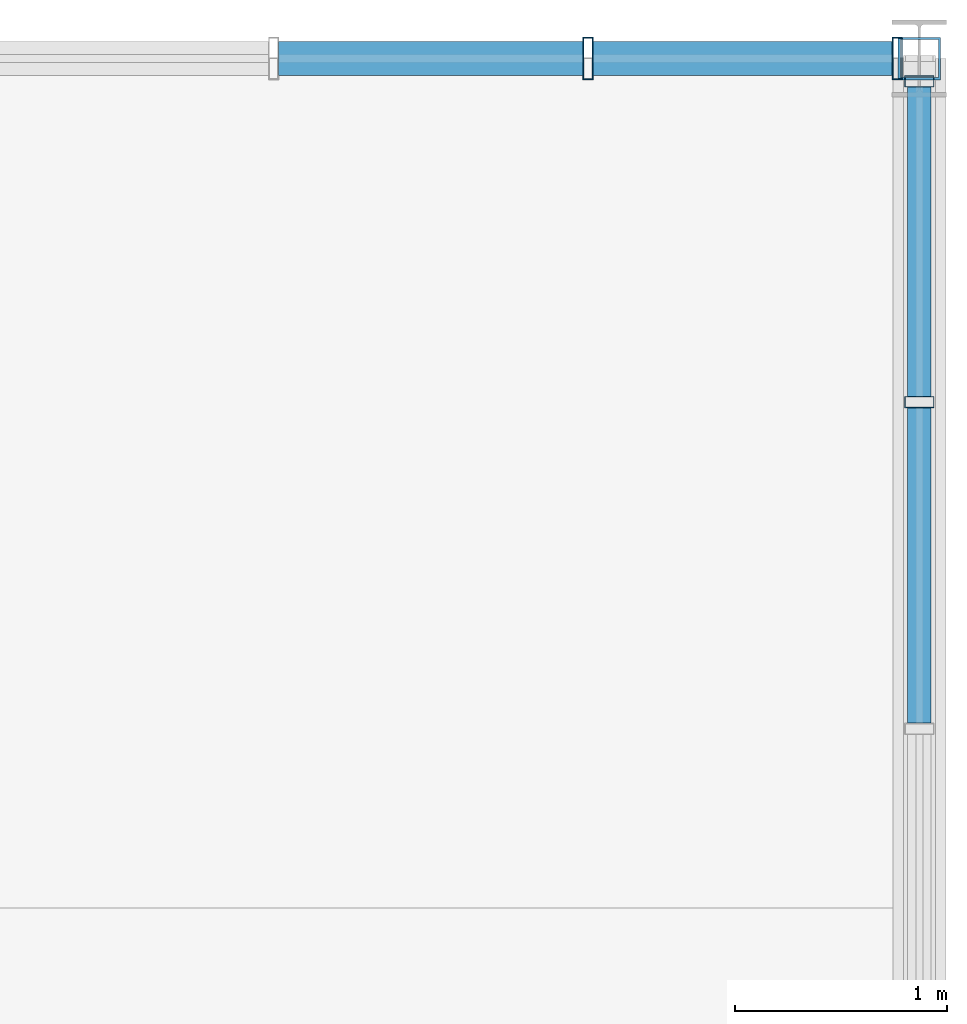
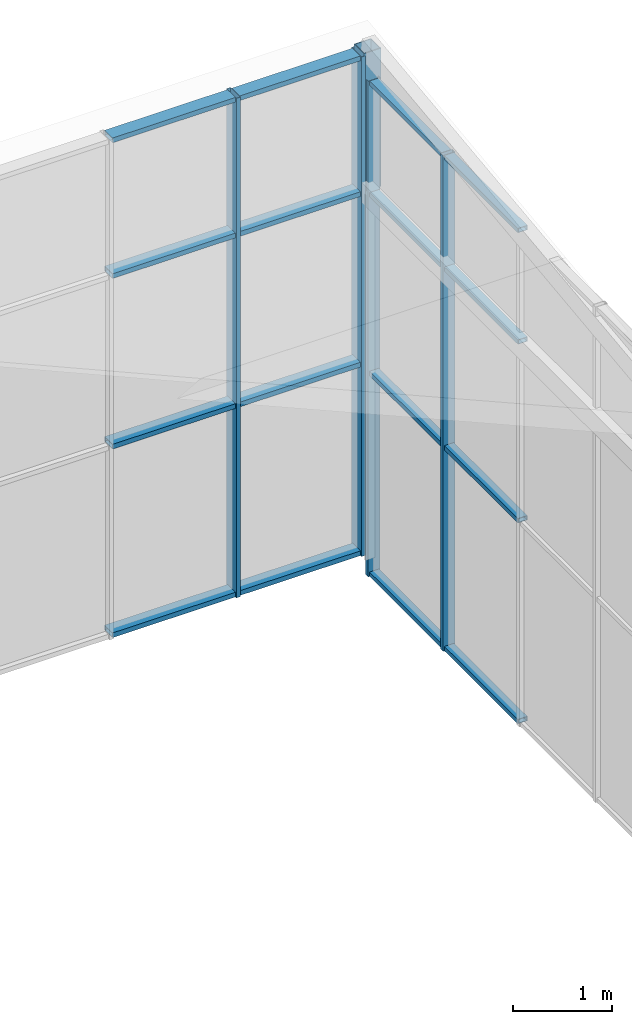
# One storey, part 79 of 104: 21 members, 2 elements without a shape of their own.
"""IFC4 building model written with IfcOpenShell, lengths in metres."""

from ifc_helpers import new_model, si_unit, direction, frame, origin, origin_2d, place, context, subcontext, project, spatial, hollow_rectangle, extrude, material, layer, layer_set, material_profile, profile_set, type_object, element, aggregate, save


model = new_model("IFC4")

# Units and contexts
model_context = context("Model", 3, precision=1e-05, world=origin(), true_north=direction((0.0, 1.0)))
body_context = subcontext(model_context, "Body", "Model", "MODEL_VIEW")
ifc_project = project(units=[si_unit("LENGTHUNIT", "METRE"), si_unit("AREAUNIT", "SQUARE_METRE"), si_unit("VOLUMEUNIT", "CUBIC_METRE"), si_unit("PLANEANGLEUNIT", "RADIAN"), si_unit("MASSUNIT", "GRAM", prefix="KILO")], contexts=[model_context])

# Site, building, storey
site_placement = place(None, origin())
site = spatial("IfcSite", under=ifc_project, at=site_placement, CompositionType="ELEMENT")
building_placement = place(site_placement, origin())
building = spatial("IfcBuilding", under=site, at=building_placement, Name="Solvenia Promenade Tram Depot", CompositionType="ELEMENT")
storey_placement = place(building_placement, frame((0.0, 0.0, 9.0)))
storey = spatial("IfcBuildingStorey", under=building, at=storey_placement, Name="L02", CompositionType="ELEMENT", Elevation=9.0)

# Curtain wall, members
ifc_material_1 = material(Name="Anodized aluminium AW-6063 T6", Category="aluminium")
ifc_layer = layer(ifc_material_1, 0.080078125, Name="Anodized aluminium AW-6063 T6", Category="aluminium")
ifc_layer_set = layer_set([ifc_layer], Name="Anodized aluminium AW-6063 T6")
curtain_wall_type = type_object("IfcCurtainWallType", Name="CW-Clerest-1500", PredefinedType="NOTDEFINED", material=ifc_layer_set)
curtain_wall_1_placement = place(storey_placement, origin())
curtain_wall_1 = element("IfcCurtainWall", 1, at=curtain_wall_1_placement, inside=storey, type_object=curtain_wall_type, Name="Curtain Wall CW-V2N-L2-174", PredefinedType="NOTDEFINED")
ifc_material_profile_1 = material_profile(ifc_material_1, hollow_rectangle(XDim=0.199951171875, YDim=0.048095703125, WallThickness=0.00390625, at=origin_2d()), Name="ALU-M3", Category="aluminium")
ifc_profile_set_1 = profile_set([ifc_material_profile_1], Name="Anodized aluminium AW-6063 T6")
member_type_1 = type_object("IfcMemberType", Name="CWM-Mullion-3", PredefinedType="MULLION", material=ifc_profile_set_1)
member_1_placement = place(storey_placement, frame((184.43994140625, 66.0, 0.0), z_axis=(0.0, 0.0, 1.0), x_axis=(0.0, 1.0, 0.0)))
member_1 = element("IfcMember", 2, at=member_1_placement, type_object=member_type_1, Name="CW-4 mullion 8", PredefinedType="MULLION", context=body_context, shape_type="SweptSolid", body=[
    extrude(hollow_rectangle(XDim=0.199951171875, YDim=0.048095703125, WallThickness=0.00390625, at=origin_2d()), origin(), (0.0, 0.0, 1.0), 6.14990234375),
])
member_2_placement = place(storey_placement, frame((185.89599609375, 66.0, 0.0), z_axis=(0.0, 0.0, 1.0), x_axis=(0.0, 1.0, 0.0)))
member_2 = element("IfcMember", 3, at=member_2_placement, type_object=member_type_1, Name="CW-4 mullion 9", PredefinedType="MULLION", context=body_context, shape_type="SweptSolid", body=[
    extrude(hollow_rectangle(XDim=0.199951171875, YDim=0.048095703125, WallThickness=0.00390625, at=origin_2d()), origin(), (0.0, 0.0, 1.0), 6.14990234375),
])

curtain_wall_2_placement = place(storey_placement, origin())
curtain_wall_2 = element("IfcCurtainWall", 4, at=curtain_wall_2_placement, inside=storey, type_object=curtain_wall_type, Name="Curtain Wall CW-V2E-L2-3", PredefinedType="NOTDEFINED")
ifc_material_profile_2 = material_profile(ifc_material_1, hollow_rectangle(XDim=0.139892578125, YDim=0.054931640625, WallThickness=0.00390625, at=origin_2d()), Name="ALU-M4", Category="aluminium")
ifc_profile_set_2 = profile_set([ifc_material_profile_2], Name="Anodized aluminium AW-6063 T6")
member_type_2 = type_object("IfcMemberType", Name="CWM-Mullion-4", PredefinedType="MULLION", material=ifc_profile_set_2)
member_3_placement = place(storey_placement, frame((186.0, 64.38232421875, -0.25), z_axis=(0.0, 0.0, 1.0), x_axis=(-1.0, 0.0, 0.0)))
member_3 = element("IfcMember", 5, at=member_3_placement, type_object=member_type_2, Name="CW-4 mullion 9", PredefinedType="MULLION", context=body_context, shape_type="SweptSolid", body=[
    extrude(hollow_rectangle(XDim=0.139892578125, YDim=0.054931640625, WallThickness=0.00390625, at=origin_2d()), origin(), (0.0, 0.0, 1.0), 6.10009765625),
])
member_4_placement = place(storey_placement, frame((186.0, 65.892578125, -0.25), z_axis=(0.0, 0.0, 1.0), x_axis=(-1.0, 0.0, 0.0)))
member_4 = element("IfcMember", 6, at=member_4_placement, type_object=member_type_2, Name="CW-4 mullion 10", PredefinedType="MULLION", context=body_context, shape_type="SweptSolid", body=[
    extrude(hollow_rectangle(XDim=0.139892578125, YDim=0.054931640625, WallThickness=0.00390625, at=origin_2d()), origin(), (0.0, 0.0, 1.0), 6.10009765625),
])

# Member
ifc_material_profile_3 = material_profile(ifc_material_1, hollow_rectangle(XDim=0.159912109375, YDim=0.05810546875, WallThickness=0.00390625, at=origin_2d()), Name="ALU-T3", Category="aluminium")
ifc_profile_set_3 = profile_set([ifc_material_profile_3], Name="Anodized aluminium AW-6063 T6")
member_type_3 = type_object("IfcMemberType", Name="CWT-Transom-3", PredefinedType="USERDEFINED", material=ifc_profile_set_3)
member_5_placement = place(storey_placement, frame((182.98388671875, 66.0, 0.029052734375), z_axis=(1.0, 0.0, 0.0), x_axis=(0.0, 1.0, 0.0)))
member_5 = element("IfcMember", 7, at=member_5_placement, type_object=member_type_3, Name="CW-4 transom 7.1", ObjectType="TRANSOM", PredefinedType="USERDEFINED", context=body_context, shape_type="SweptSolid", body=[
    extrude(hollow_rectangle(XDim=0.159912109375, YDim=0.05810546875, WallThickness=0.00390625, at=origin_2d()), origin(), (0.0, 0.0, 1.0), 1.43212890625),
])

member_6_placement = place(storey_placement, frame((182.98388671875, 66.0, 2.35009765625), z_axis=(1.0, 0.0, 0.0), x_axis=(0.0, 1.0, 0.0)))
member_6 = element("IfcMember", 8, at=member_6_placement, type_object=member_type_3, Name="CW-4 transom 7.2", ObjectType="TRANSOM", PredefinedType="USERDEFINED", context=body_context, shape_type="SweptSolid", body=[
    extrude(hollow_rectangle(XDim=0.159912109375, YDim=0.05810546875, WallThickness=0.00390625, at=origin_2d()), origin(), (0.0, 0.0, 1.0), 1.43212890625),
])

member_7_placement = place(storey_placement, frame((182.98388671875, 66.0, 4.449951171875), z_axis=(1.0, 0.0, 0.0), x_axis=(0.0, 1.0, 0.0)))
member_7 = element("IfcMember", 9, at=member_7_placement, type_object=member_type_3, Name="CW-4 transom 7.3", ObjectType="TRANSOM", PredefinedType="USERDEFINED", context=body_context, shape_type="SweptSolid", body=[
    extrude(hollow_rectangle(XDim=0.159912109375, YDim=0.05810546875, WallThickness=0.00390625, at=origin_2d()), origin(), (0.0, 0.0, 1.0), 1.43212890625),
])

member_8_placement = place(storey_placement, frame((182.98388671875, 66.0, 6.12109375), z_axis=(1.0, 0.0, 0.0), x_axis=(0.0, 1.0, 0.0)))
member_8 = element("IfcMember", 10, at=member_8_placement, type_object=member_type_3, Name="CW-4 transom 7.4", ObjectType="TRANSOM", PredefinedType="USERDEFINED", context=body_context, shape_type="SweptSolid", body=[
    extrude(hollow_rectangle(XDim=0.159912109375, YDim=0.05810546875, WallThickness=0.00390625, at=origin_2d()), origin(), (0.0, 0.0, 1.0), 1.43212890625),
])

member_9_placement = place(storey_placement, frame((184.464111328125, 66.0, 0.029052734375), z_axis=(1.0, 0.0, 0.0), x_axis=(0.0, 1.0, 0.0)))
member_9 = element("IfcMember", 11, at=member_9_placement, type_object=member_type_3, Name="CW-4 transom 8.1", ObjectType="TRANSOM", PredefinedType="USERDEFINED", context=body_context, shape_type="SweptSolid", body=[
    extrude(hollow_rectangle(XDim=0.159912109375, YDim=0.05810546875, WallThickness=0.00390625, at=origin_2d()), origin(), (0.0, 0.0, 1.0), 1.407958984375),
])

member_10_placement = place(storey_placement, frame((184.464111328125, 66.0, 2.35009765625), z_axis=(1.0, 0.0, 0.0), x_axis=(0.0, 1.0, 0.0)))
member_10 = element("IfcMember", 12, at=member_10_placement, type_object=member_type_3, Name="CW-4 transom 8.2", ObjectType="TRANSOM", PredefinedType="USERDEFINED", context=body_context, shape_type="SweptSolid", body=[
    extrude(hollow_rectangle(XDim=0.159912109375, YDim=0.05810546875, WallThickness=0.00390625, at=origin_2d()), origin(), (0.0, 0.0, 1.0), 1.407958984375),
])

member_11_placement = place(storey_placement, frame((184.464111328125, 66.0, 4.449951171875), z_axis=(1.0, 0.0, 0.0), x_axis=(0.0, 1.0, 0.0)))
member_11 = element("IfcMember", 13, at=member_11_placement, type_object=member_type_3, Name="CW-4 transom 8.3", ObjectType="TRANSOM", PredefinedType="USERDEFINED", context=body_context, shape_type="SweptSolid", body=[
    extrude(hollow_rectangle(XDim=0.159912109375, YDim=0.05810546875, WallThickness=0.00390625, at=origin_2d()), origin(), (0.0, 0.0, 1.0), 1.407958984375),
])

member_12_placement = place(storey_placement, frame((184.464111328125, 66.0, 6.12109375), z_axis=(1.0, 0.0, 0.0), x_axis=(0.0, 1.0, 0.0)))
member_12 = element("IfcMember", 14, at=member_12_placement, type_object=member_type_3, Name="CW-4 transom 8.4", ObjectType="TRANSOM", PredefinedType="USERDEFINED", context=body_context, shape_type="SweptSolid", body=[
    extrude(hollow_rectangle(XDim=0.159912109375, YDim=0.05810546875, WallThickness=0.00390625, at=origin_2d()), origin(), (0.0, 0.0, 1.0), 1.407958984375),
])

aggregate(curtain_wall_1, [member_1, member_2, member_5, member_6, member_7, member_8, member_9, member_10, member_11, member_12])

ifc_material_profile_4 = material_profile(ifc_material_1, hollow_rectangle(XDim=0.110107421875, YDim=0.054931640625, WallThickness=0.00390625, at=origin_2d()), Name="ALU-T4", Category="aluminium")
ifc_profile_set_4 = profile_set([ifc_material_profile_4], Name="Anodized aluminium AW-6063 T6")
member_type_4 = type_object("IfcMemberType", Name="CWT-Transom-4", PredefinedType="USERDEFINED", material=ifc_profile_set_4)
member_13_placement = place(storey_placement, frame((186.0, 62.871826171875, -0.222412109375), z_axis=(0.0, 1.0, 0.0), x_axis=(-1.0, 0.0, 0.0)))
member_13 = element("IfcMember", 15, at=member_13_placement, type_object=member_type_4, Name="CW-4 transom 8.1", ObjectType="TRANSOM", PredefinedType="USERDEFINED", context=body_context, shape_type="SweptSolid", body=[
    extrude(hollow_rectangle(XDim=0.110107421875, YDim=0.054931640625, WallThickness=0.00390625, at=origin_2d()), origin(), (0.0, 0.0, 1.0), 1.48291015625),
])

member_14_placement = place(storey_placement, frame((186.0, 62.871826171875, 2.25), z_axis=(0.0, 1.0, 0.0), x_axis=(-1.0, 0.0, 0.0)))
member_14 = element("IfcMember", 16, at=member_14_placement, type_object=member_type_4, Name="CW-4 transom 8.2", ObjectType="TRANSOM", PredefinedType="USERDEFINED", context=body_context, shape_type="SweptSolid", body=[
    extrude(hollow_rectangle(XDim=0.110107421875, YDim=0.054931640625, WallThickness=0.00390625, at=origin_2d()), origin(), (0.0, 0.0, 1.0), 1.48291015625),
])

member_15_placement = place(storey_placement, frame((186.0, 62.871826171875, 4.449951171875), z_axis=(0.0, 1.0, 0.0), x_axis=(-1.0, 0.0, 0.0)))
member_15 = element("IfcMember", 17, at=member_15_placement, type_object=member_type_4, Name="CW-4 transom 8.3", ObjectType="TRANSOM", PredefinedType="USERDEFINED", context=body_context, shape_type="SweptSolid", body=[
    extrude(hollow_rectangle(XDim=0.110107421875, YDim=0.054931640625, WallThickness=0.00390625, at=origin_2d()), origin(), (0.0, 0.0, 1.0), 1.48291015625),
])

member_16_placement = place(storey_placement, frame((186.0, 62.871826171875, 5.822509765625), z_axis=(0.0, 1.0, 0.0), x_axis=(-1.0, 0.0, 0.0)))
member_16 = element("IfcMember", 18, at=member_16_placement, type_object=member_type_4, Name="CW-4 transom 8.4", ObjectType="TRANSOM", PredefinedType="USERDEFINED", context=body_context, shape_type="SweptSolid", body=[
    extrude(hollow_rectangle(XDim=0.110107421875, YDim=0.054931640625, WallThickness=0.00390625, at=origin_2d()), origin(), (0.0, 0.0, 1.0), 1.48291015625),
])

member_17_placement = place(storey_placement, frame((186.0, 64.40966796875, -0.222412109375), z_axis=(0.0, 1.0, 0.0), x_axis=(-1.0, 0.0, 0.0)))
member_17 = element("IfcMember", 19, at=member_17_placement, type_object=member_type_4, Name="CW-4 transom 9.1", ObjectType="TRANSOM", PredefinedType="USERDEFINED", context=body_context, shape_type="SweptSolid", body=[
    extrude(hollow_rectangle(XDim=0.110107421875, YDim=0.054931640625, WallThickness=0.00390625, at=origin_2d()), origin(), (0.0, 0.0, 1.0), 1.455322265625),
])

member_18_placement = place(storey_placement, frame((186.0, 64.40966796875, 2.25), z_axis=(0.0, 1.0, 0.0), x_axis=(-1.0, 0.0, 0.0)))
member_18 = element("IfcMember", 20, at=member_18_placement, type_object=member_type_4, Name="CW-4 transom 9.2", ObjectType="TRANSOM", PredefinedType="USERDEFINED", context=body_context, shape_type="SweptSolid", body=[
    extrude(hollow_rectangle(XDim=0.110107421875, YDim=0.054931640625, WallThickness=0.00390625, at=origin_2d()), origin(), (0.0, 0.0, 1.0), 1.455322265625),
])

member_19_placement = place(storey_placement, frame((186.0, 64.40966796875, 4.449951171875), z_axis=(0.0, 1.0, 0.0), x_axis=(-1.0, 0.0, 0.0)))
member_19 = element("IfcMember", 21, at=member_19_placement, type_object=member_type_4, Name="CW-4 transom 9.3", ObjectType="TRANSOM", PredefinedType="USERDEFINED", context=body_context, shape_type="SweptSolid", body=[
    extrude(hollow_rectangle(XDim=0.110107421875, YDim=0.054931640625, WallThickness=0.00390625, at=origin_2d()), origin(), (0.0, 0.0, 1.0), 1.455322265625),
])

member_20_placement = place(storey_placement, frame((186.0, 64.40966796875, 5.822509765625), z_axis=(0.0, 1.0, 0.0), x_axis=(-1.0, 0.0, 0.0)))
member_20 = element("IfcMember", 22, at=member_20_placement, type_object=member_type_4, Name="CW-4 transom 9.4", ObjectType="TRANSOM", PredefinedType="USERDEFINED", context=body_context, shape_type="SweptSolid", body=[
    extrude(hollow_rectangle(XDim=0.110107421875, YDim=0.054931640625, WallThickness=0.00390625, at=origin_2d()), origin(), (0.0, 0.0, 1.0), 1.455322265625),
])

aggregate(curtain_wall_2, [member_3, member_4, member_13, member_14, member_15, member_16, member_17, member_18, member_19, member_20])

ifc_material_2 = material(Name="Structural steel ASTM A500 Gr. C", Category="steel")
ifc_material_profile_5 = material_profile(ifc_material_2, hollow_rectangle(XDim=0.199951171875, YDim=0.199951171875, WallThickness=0.010009765625, at=origin_2d()), Name="HSS200x200x10", Category="steel")
ifc_profile_set_5 = profile_set([ifc_material_profile_5], Name="Structural steel ASTM A500 Gr. C")
member_type_5 = type_object("IfcMemberType", Name="Post-HSS200x200x10", PredefinedType="POST", material=ifc_profile_set_5)
member_21_placement = place(storey_placement, frame((186.0, 66.0, 4.47998046875), z_axis=(0.0, 0.0, 1.0), x_axis=(1.0, 0.0, 0.0)))
element("IfcMember", 23, at=member_21_placement, inside=storey, type_object=member_type_5, Name="Workshop Sawtooth Post 2-10", PredefinedType="POST", context=body_context, shape_type="SweptSolid", body=[
    extrude(hollow_rectangle(XDim=0.199951171875, YDim=0.199951171875, WallThickness=0.010009765625, at=origin_2d()), origin(), (0.0, 0.0, 1.0), 1.699951171875),
])

save(model, "model.ifc")
